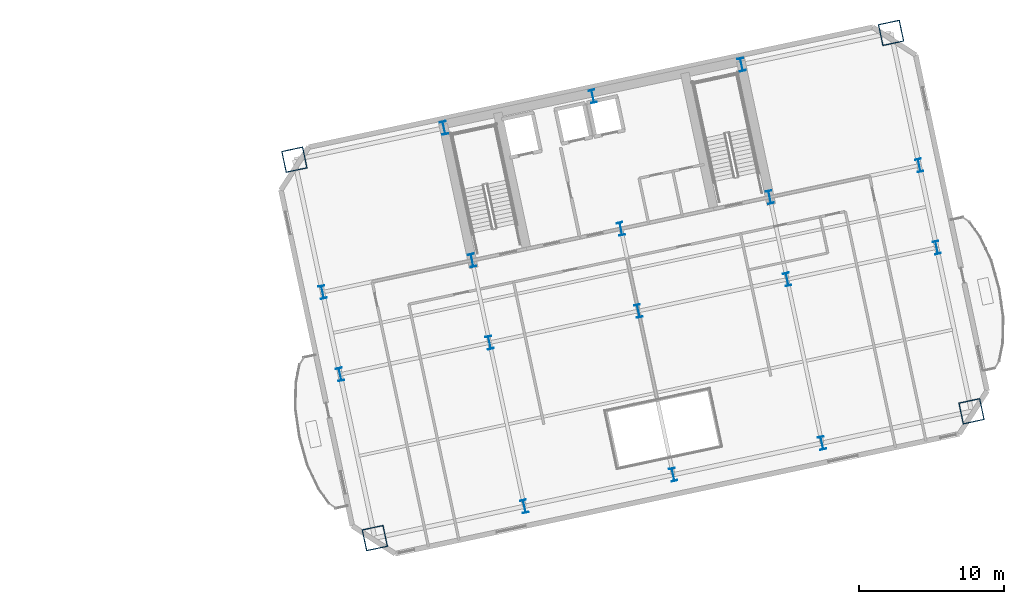
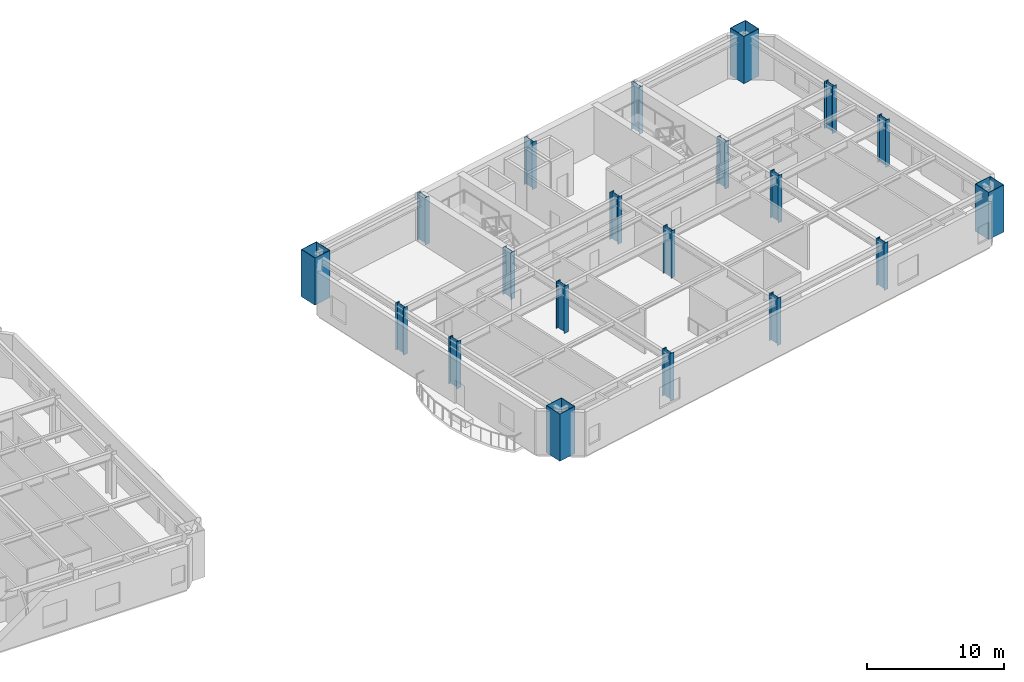
# One storey, part 2 of 15: 20 columns.
"""IFC4 building model written with IfcOpenShell, lengths in metres."""

import ifcopenshell
import ifcopenshell.guid

model = None  # the IFC model being written
_history = None  # IfcOwnerHistory: only IFC2X3 demands one
_inside = {}  # id of a spatial element -> (the spatial element, [elements in it])
_under = {}  # id of a project, library or spatial element -> (it, [spatial elements below it])
_declared = {}  # id of a project -> (the project, [libraries it declares])
_typed = {}  # id of a type object -> (the type object, [elements of that type])
_made_of = {}  # id of a material, layer set ... -> (it, [elements and type objects made of it])


def new_model(schema):
    """Start an empty IFC model of exactly this schema.

    Asked for "IFC4X3", IfcOpenShell would pick the latest addendum, in which some entities
    have other attributes; the version numbers below select the first issue.
    IFC2X3 requires an IfcOwnerHistory on every rooted entity: one is made here for all.
    """
    global model, _history
    if schema == "IFC4X3":
        model = ifcopenshell.file(schema_version=(4, 3, 0, 0))
    else:
        model = ifcopenshell.file(schema=schema)
    _inside.clear()
    _under.clear()
    _declared.clear()
    _typed.clear()
    _made_of.clear()
    _history = None
    if model.schema == "IFC2X3":
        org = make("IfcOrganization", Name="unknown")
        user = make(
            "IfcPersonAndOrganization",
            ThePerson=make("IfcPerson", FamilyName="unknown"),
            TheOrganization=org,
        )
        app = make(
            "IfcApplication",
            ApplicationDeveloper=org,
            Version="unknown",
            ApplicationFullName="unknown",
            ApplicationIdentifier="unknown",
        )
        _history = make(
            "IfcOwnerHistory",
            OwningUser=user,
            OwningApplication=app,
            ChangeAction="ADDED",
            CreationDate=0,
        )
    return model


def make(cls, **values):
    """One entity of the class cls with the attributes given. An attribute that is None is left unset."""
    return model.create_entity(
        cls, **{name: value for name, value in values.items() if value is not None}
    )


def rooted(cls, **values):
    """An entity with a GlobalId (a new one), such as an element, a storey or a relation."""
    return make(cls, GlobalId=ifcopenshell.guid.new(), OwnerHistory=_history, **values)


def si_unit(unit_type, name, prefix=None):
    """IfcSIUnit, for example si_unit("LENGTHUNIT", "METRE", prefix="MILLI")."""
    return make("IfcSIUnit", UnitType=unit_type, Prefix=prefix, Name=name)


def assignment(units):
    """IfcUnitAssignment: the units of a project."""
    return None if units is None else make("IfcUnitAssignment", Units=units)


def point(xyz):
    """IfcCartesianPoint."""
    return None if xyz is None else make("IfcCartesianPoint", Coordinates=xyz)


def direction(xyz):
    """IfcDirection."""
    return None if xyz is None else make("IfcDirection", DirectionRatios=xyz)


def frame(location, z_axis=None, x_axis=None):
    """IfcAxis2Placement3D, a coordinate frame: its origin and axes. An axis left out is left unset."""
    return make(
        "IfcAxis2Placement3D",
        Location=point(location),
        Axis=direction(z_axis),
        RefDirection=direction(x_axis),
    )


def frame_2d(location, x_axis=None):
    """IfcAxis2Placement2D, a coordinate frame in the plane: its origin and x axis."""
    return make(
        "IfcAxis2Placement2D", Location=point(location), RefDirection=direction(x_axis)
    )


def origin():
    """The frame at (0, 0, 0) with its axes left unset."""
    return frame((0.0, 0.0, 0.0))


def origin_2d():
    """The frame at (0, 0) in the plane with its x axis left unset."""
    return frame_2d((0.0, 0.0))


def place(relative_to, where):
    """IfcLocalPlacement: puts the frame where relative to a parent placement (None: the world)."""
    return make(
        "IfcLocalPlacement", PlacementRelTo=relative_to, RelativePlacement=where
    )


def context(
    kind, dimensions, precision=None, world=None, true_north=None, identifier=None
):
    """IfcGeometricRepresentationContext, for example the 3D "Model" context."""
    return make(
        "IfcGeometricRepresentationContext",
        ContextIdentifier=identifier,
        ContextType=kind,
        CoordinateSpaceDimension=dimensions,
        Precision=precision,
        WorldCoordinateSystem=world,
        TrueNorth=true_north,
    )


def subcontext(parent, identifier, kind, view, scale=None):
    """IfcGeometricRepresentationSubContext, for example "Body" below "Model"."""
    return make(
        "IfcGeometricRepresentationSubContext",
        ContextIdentifier=identifier,
        ContextType=kind,
        ParentContext=parent,
        TargetScale=scale,
        TargetView=view,
    )


def project(units=None, contexts=None):
    """IfcProject with its units and contexts."""
    return rooted(
        "IfcProject",
        Name="project",
        RepresentationContexts=contexts,
        UnitsInContext=assignment(units),
    )


def spatial(cls, under=None, at=None, **own):
    """A site, building, storey or space (cls), placed at a placement, below another one or the project."""
    s = rooted(cls, ObjectPlacement=at, **own)
    if under is not None:
        _under.setdefault(under.id(), (under, []))[1].append(s)
    return s


def profile(cls, at=None, kind="AREA", **sizes):
    """A parametric profile (cls). Its sizes go by their IFC names, for example OverallWidth=200.0."""
    return make(cls, ProfileType=kind, Position=at, **sizes)


def hollow_rectangle(**sizes):
    """IfcRectangleHollowProfileDef."""
    return profile("IfcRectangleHollowProfileDef", **sizes)


def i_section(**sizes):
    """IfcIShapeProfileDef."""
    return profile("IfcIShapeProfileDef", **sizes)


def extrude(swept, where, along, depth):
    """IfcExtrudedAreaSolid: the profile swept, set in the frame where, extruded along a direction by depth."""
    return make(
        "IfcExtrudedAreaSolid",
        SweptArea=swept,
        Position=where,
        ExtrudedDirection=direction(along),
        Depth=depth,
    )


def shape(context_of_items, identifier, shape_type, items):
    """IfcShapeRepresentation: the items that make up one representation, for example the "Body"."""
    return make(
        "IfcShapeRepresentation",
        ContextOfItems=context_of_items,
        RepresentationIdentifier=identifier,
        RepresentationType=shape_type,
        Items=items,
    )


def material(Name=None, Category=None):
    """IfcMaterial."""
    return make("IfcMaterial", Name=Name, Category=Category)


def material_profile(
    of_material, cross_section, Name=None, Category=None, Priority=None
):
    """IfcMaterialProfile: a cross section and its material."""
    return make(
        "IfcMaterialProfile",
        Name=Name,
        Material=of_material,
        Profile=cross_section,
        Priority=Priority,
        Category=Category,
    )


def profile_set(profiles, Name=None, composite=None):
    """IfcMaterialProfileSet."""
    return make(
        "IfcMaterialProfileSet",
        Name=Name,
        MaterialProfiles=profiles,
        CompositeProfile=composite,
    )


def made_of(thing, what):
    """Note that an element or type object is made of a material, layer set ...; save() writes the relation."""
    if what is not None:
        _made_of.setdefault(what.id(), (what, []))[1].append(thing)
    return thing


def type_object(cls, material=None, **own):
    """A type object (cls), such as IfcWallType, which elements share."""
    return made_of(rooted(cls, **own), material)


def element(
    cls,
    number,
    at=None,
    inside=None,
    cuts=None,
    type_object=None,
    material=None,
    context=None,
    identifier="Body",
    shape_type=None,
    held_by="IfcProductDefinitionShape",
    body=None,
    shapes=None,
    **own,
):
    """One element of the class cls, such as IfcWall. Its Tag is "e" and its number.

    at: its placement. inside: the storey or other place that contains it. cuts: it is an
    opening in that element (IfcRelVoidsElement). A single representation is given by context,
    identifier, shape_type and body (its items); several are given by shapes. held_by: the class
    of the entity that holds the representations. save() writes the other relations.
    """
    e = rooted(cls, Tag="e%d" % number, ObjectPlacement=at, **own)
    if body is not None:
        shapes = [shape(context, identifier, shape_type, body)]
    if shapes is not None:
        e.Representation = make(held_by, Representations=shapes)
    if inside is not None:
        _inside.setdefault(inside.id(), (inside, []))[1].append(e)
    if cuts is not None:
        rooted(
            "IfcRelVoidsElement", RelatingBuildingElement=cuts, RelatedOpeningElement=e
        )
    if type_object is not None:
        _typed.setdefault(type_object.id(), (type_object, []))[1].append(e)
    return made_of(e, material)


def aggregate(whole, parts):
    """IfcRelAggregates: a whole, such as a stair, and the parts it consists of."""
    return rooted("IfcRelAggregates", RelatingObject=whole, RelatedObjects=parts)


def save(model, path):
    """Write the relations noted so far, then the file.

    IfcRelAggregates (storeys below a building ...), IfcRelContainedInSpatialStructure (elements
    in a storey), IfcRelDefinesByType, IfcRelAssociatesMaterial and IfcRelDeclares: one each for
    every whole, place, type object, material and project.
    """
    for whole, parts in _under.values():
        aggregate(whole, parts)
    for where, things in _inside.values():
        rooted(
            "IfcRelContainedInSpatialStructure",
            RelatedElements=things,
            RelatingStructure=where,
        )
    for kind, things in _typed.values():
        rooted("IfcRelDefinesByType", RelatedObjects=things, RelatingType=kind)
    for what, things in _made_of.values():
        rooted("IfcRelAssociatesMaterial", RelatedObjects=things, RelatingMaterial=what)
    for by, libraries in _declared.values():
        rooted("IfcRelDeclares", RelatingContext=by, RelatedDefinitions=libraries)
    model.write(path)


model = new_model("IFC4")

# Units and contexts
model_context = context("Model", 3, precision=1e-05, world=origin(), true_north=direction((0.0, 1.0)))
body_context = subcontext(model_context, "Body", "Model", "MODEL_VIEW")
ifc_project = project(units=[si_unit("LENGTHUNIT", "METRE"), si_unit("AREAUNIT", "SQUARE_METRE"), si_unit("VOLUMEUNIT", "CUBIC_METRE"), si_unit("PLANEANGLEUNIT", "RADIAN"), si_unit("MASSUNIT", "GRAM", prefix="KILO")], contexts=[model_context])

# Site, building, storey
site_placement = place(None, origin())
site = spatial("IfcSite", under=ifc_project, at=site_placement, CompositionType="ELEMENT")
building_placement = place(site_placement, origin())
building = spatial("IfcBuilding", under=site, at=building_placement, Name="Haevon Station Towers", CompositionType="ELEMENT")
storey_placement = place(building_placement, frame((0.0, 0.0, 77.699951171875)))
storey = spatial("IfcBuildingStorey", under=building, at=storey_placement, Name="L20", CompositionType="ELEMENT", Elevation=77.699951171875)

# Columns
ifc_material = material(Name="Steel S460", Category="steel")
ifc_material_profile_1 = material_profile(ifc_material, hollow_rectangle(XDim=1.5, YDim=1.5, WallThickness=0.0400390625, at=origin_2d()), Name="BOX-1500x1500x40")
ifc_profile_set_1 = profile_set([ifc_material_profile_1], Name="Steel S460")
column_type_1 = type_object("IfcColumnType", Name="COL-MC2", PredefinedType="COLUMN", material=ifc_profile_set_1)
for number, where, z_axis, x_axis, name in (
    (1, (92.040283203125, 18.278076171875, 0.0), (0.0, 0.0, 1.0), (0.978147600734, 0.207911690818, 0.0), "COL-T2-L20-01-01"),
    (2, (86.489013671875, 44.39453125, 0.0), (0.0, 0.0, 1.0), (0.978147600734, 0.207911690818, 0.0), "COL-T2-L20-01-04"),
    (3, (133.22021484375, 27.03125, 0.0), (0.0, 0.0, 1.0), (0.978147600734, 0.207911690818, 0.0), "COL-T2-L20-05-01"),
    (4, (127.6689453125, 53.147705078125, 0.0), (0.0, 0.0, 1.0), (0.978147600734, 0.207911690818, 0.0), "COL-T2-L20-05-04"),
):
    element("IfcColumn", number, at=place(storey_placement, frame(where, z_axis=z_axis, x_axis=x_axis)), inside=storey, type_object=column_type_1, Name=name, PredefinedType="COLUMN", context=body_context, shape_type="SweptSolid", body=[
        extrude(hollow_rectangle(XDim=1.5, YDim=1.5, WallThickness=0.0400390625, at=origin_2d()), origin(), (0.0, 0.0, 1.0), 4.199951171875),
    ])
ifc_material_profile_2 = material_profile(ifc_material, i_section(OverallWidth=0.39990234375, OverallDepth=0.89990234375, WebThickness=0.02001953125, FlangeThickness=0.035888671875, at=origin_2d()), Name="H-900x400x20x36")
ifc_profile_set_2 = profile_set([ifc_material_profile_2], Name="Steel S460")
column_type_2 = type_object("IfcColumnType", Name="COL-TW1", PredefinedType="COLUMN", material=ifc_profile_set_2)
for number, where, z_axis, x_axis, name in (
    (5, (89.638671875, 29.57568359375, 0.0), (0.0, 0.0, 1.0), (0.978147600734, 0.207911690818, 0.0), "COL-T2-L20-01-02"),
    (6, (88.432861328125, 35.2490234375, 0.0), (0.0, 0.0, 1.0), (0.978147600734, 0.207911690818, 0.0), "COL-T2-L20-01-03"),
    (7, (102.359619140625, 20.471435546875, 0.0), (0.0, 0.0, 1.0), (0.978147600734, 0.207911690818, 0.0), "COL-T2-L20-02-01"),
    (8, (99.958251953125, 31.76904296875, 0.0), (0.0, 0.0, 1.0), (0.978147600734, 0.207911690818, 0.0), "COL-T2-L20-02-02"),
    (9, (98.75244140625, 37.4423828125, 0.0), (0.0, 0.0, 1.0), (0.978147600734, 0.207911690818, 0.0), "COL-T2-L20-02-03"),
    (10, (96.808349609375, 46.588134765625, 0.0), (0.0, 0.0, 1.0), (0.978147600734, 0.207911690818, 0.0), "COL-T2-L20-02-04"),
    (11, (112.630126953125, 22.654541015625, 0.0), (0.0, 0.0, 1.0), (0.978147600734, 0.207911690818, 0.0), "COL-T2-L20-03-01"),
    (12, (110.228759765625, 33.9521484375, 0.0), (0.0, 0.0, 1.0), (0.978147600734, 0.207911690818, 0.0), "COL-T2-L20-03-02"),
    (13, (109.02294921875, 39.62548828125, 0.0), (0.0, 0.0, 1.0), (0.978147600734, 0.207911690818, 0.0), "COL-T2-L20-03-03"),
    (14, (107.078857421875, 48.771240234375, 0.0), (0.0, 0.0, 1.0), (0.978147600734, 0.207911690818, 0.0), "COL-T2-L20-03-04"),
    (15, (122.900634765625, 24.837646484375, 0.0), (0.0, 0.0, 1.0), (0.978147600734, 0.207911690818, 0.0), "COL-T2-L20-04-01"),
    (16, (120.499267578125, 36.13525390625, 0.0), (0.0, 0.0, 1.0), (0.978147600734, 0.207911690818, 0.0), "COL-T2-L20-04-02"),
    (17, (119.29345703125, 41.80859375, 0.0), (0.0, 0.0, 1.0), (0.978147600734, 0.207911690818, 0.0), "COL-T2-L20-04-03"),
    (18, (117.349365234375, 50.954345703125, 0.0), (0.0, 0.0, 1.0), (0.978147600734, 0.207911690818, 0.0), "COL-T2-L20-04-04"),
    (19, (130.81884765625, 38.328857421875, 0.0), (0.0, 0.0, 1.0), (0.978147600734, 0.207911690818, 0.0), "COL-T2-L20-05-02"),
    (20, (129.61279296875, 44.001953125, 0.0), (0.0, 0.0, 1.0), (0.978147600734, 0.207911690818, 0.0), "COL-T2-L20-05-03"),
):
    element("IfcColumn", number, at=place(storey_placement, frame(where, z_axis=z_axis, x_axis=x_axis)), inside=storey, type_object=column_type_2, Name=name, PredefinedType="COLUMN", context=body_context, shape_type="SweptSolid", body=[
        extrude(i_section(OverallWidth=0.39990234375, OverallDepth=0.89990234375, WebThickness=0.02001953125, FlangeThickness=0.035888671875, at=origin_2d()), origin(), (0.0, 0.0, 1.0), 4.199951171875),
    ])

save(model, "model.ifc")
